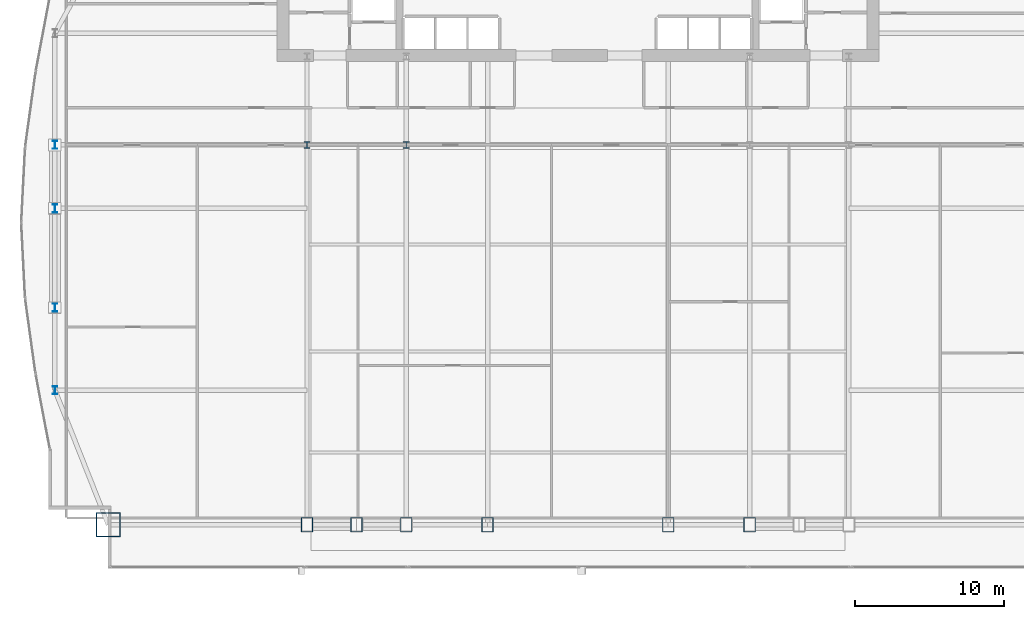
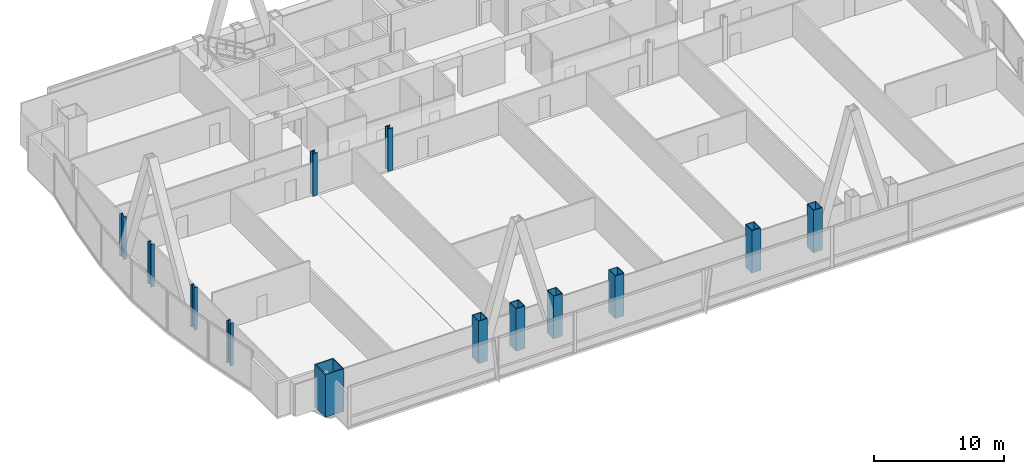
# One storey, part 1 of 37: 13 columns.
"""IFC4 building model written with IfcOpenShell, lengths in metres."""

from ifc_helpers import new_model, si_unit, direction, frame, origin, origin_2d, place, context, subcontext, project, spatial, hollow_rectangle, i_section, extrude, material, material_profile, profile_set, type_object, element, save


model = new_model("IFC4")

# Units and contexts
model_context = context("Model", 3, precision=1e-05, world=origin(), true_north=direction((0.0, 1.0)))
body_context = subcontext(model_context, "Body", "Model", "MODEL_VIEW")
ifc_project = project(units=[si_unit("LENGTHUNIT", "METRE"), si_unit("AREAUNIT", "SQUARE_METRE"), si_unit("VOLUMEUNIT", "CUBIC_METRE"), si_unit("PLANEANGLEUNIT", "RADIAN"), si_unit("MASSUNIT", "GRAM", prefix="KILO")], contexts=[model_context])

# Site, building, storey
site_placement = place(None, origin())
site = spatial("IfcSite", under=ifc_project, at=site_placement, CompositionType="ELEMENT")
building_placement = place(site_placement, origin())
building = spatial("IfcBuilding", under=site, at=building_placement, Name="Khoronbel Lancet Exchange", CompositionType="ELEMENT")
storey_placement = place(building_placement, frame((0.0, 0.0, 61.800048828125)))
storey = spatial("IfcBuildingStorey", under=building, at=storey_placement, Name="L14", CompositionType="ELEMENT", Elevation=61.800048828125)

# Columns
ifc_material_1 = material(Name="Steel S460", Category="steel")
ifc_material_profile_1 = material_profile(ifc_material_1, hollow_rectangle(XDim=0.800048828125, YDim=1.0, WallThickness=0.054931640625, at=origin_2d()), Name="BOX 1000x800x55")
ifc_profile_set_1 = profile_set([ifc_material_profile_1], Name="Steel S460")
column_type_1 = type_object("IfcColumnType", Name="COL-EC1", PredefinedType="COLUMN", material=ifc_profile_set_1)
for number, where, z_axis, x_axis, name in (
    (1, (18.22509765625, 10.14990234375, 0.0), (0.0, 0.0, 1.0), (1.0, 0.0, 0.0), "Structural column SC-W1 L14"),
    (2, (21.5625, 10.14990234375, 0.0), (0.0, 0.0, 1.0), (1.0, 0.0, 0.0), "Structural column SC-WM L14"),
    (3, (24.89990234375, 10.14990234375, 0.0), (0.0, 0.0, 1.0), (1.0, 0.0, 0.0), "Structural column SC-W2 L14"),
    (4, (30.375, 10.14990234375, 0.0), (0.0, 0.0, 1.0), (1.0, 0.0, 0.0), "Structural column SC-C1 L14"),
    (5, (42.52490234375, 10.14990234375, 0.0), (0.0, 0.0, 1.0), (1.0, 0.0, 0.0), "Structural column SC-C2 L14"),
    (6, (48.0, 10.14990234375, 0.0), (0.0, 0.0, 1.0), (1.0, 0.0, 0.0), "Structural column SC-E1 L14"),
):
    element("IfcColumn", number, at=place(storey_placement, frame(where, z_axis=z_axis, x_axis=x_axis)), inside=storey, type_object=column_type_1, Name=name, PredefinedType="COLUMN", context=body_context, shape_type="SweptSolid", body=[
        extrude(hollow_rectangle(XDim=0.800048828125, YDim=1.0, WallThickness=0.054931640625, at=origin_2d()), origin(), (0.0, 0.0, 1.0), 4.0),
    ])
ifc_material_profile_2 = material_profile(ifc_material_1, i_section(OverallWidth=0.424072265625, OverallDepth=0.47412109375, WebThickness=0.047607421875, FlangeThickness=0.076904296875, at=origin_2d()), Name="HD 400x634")
ifc_profile_set_2 = profile_set([ifc_material_profile_2], Name="Steel S460")
column_type_2 = type_object("IfcColumnType", Name="COL-IC1", PredefinedType="COLUMN", material=ifc_profile_set_2)
for number, where, z_axis, x_axis, name in (
    (7, (18.22509765625, 35.699951171875, 0.0), (0.0, 0.0, 1.0), (1.0, 0.0, 0.0), "Spine gravity column TC1 L14"),
    (8, (24.89990234375, 35.699951171875, 0.0), (0.0, 0.0, 1.0), (1.0, 0.0, 0.0), "Spine gravity column TC2 L14"),
):
    element("IfcColumn", number, at=place(storey_placement, frame(where, z_axis=z_axis, x_axis=x_axis)), inside=storey, type_object=column_type_2, Name=name, PredefinedType="COLUMN", context=body_context, shape_type="SweptSolid", body=[
        extrude(i_section(OverallWidth=0.424072265625, OverallDepth=0.47412109375, WebThickness=0.047607421875, FlangeThickness=0.076904296875, at=origin_2d()), origin(), (0.0, 0.0, 1.0), 4.0),
    ])
ifc_material_2 = material(Name="Steel S355", Category="steel")
ifc_material_profile_3 = material_profile(ifc_material_2, i_section(OverallWidth=0.300048828125, OverallDepth=0.550048828125, WebThickness=0.014892578125, FlangeThickness=0.029052734375, at=origin_2d()), Name="HEB 550")
ifc_profile_set_3 = profile_set([ifc_material_profile_3], Name="Steel S355")
column_type_3 = type_object("IfcColumnType", Name="COL-LC1", PredefinedType="COLUMN", material=ifc_profile_set_3)
for number, where, z_axis, x_axis, name in (
    (9, (1.27001953125, 19.199951171875, 0.0), (0.0, 0.0, 1.0), (1.0, 0.0, 0.0), "Structural column WC-1 L14"),
    (10, (1.27001953125, 24.75, 0.0), (0.0, 0.0, 1.0), (1.0, 0.0, 0.0), "Structural column WC-2 L14"),
    (11, (1.27001953125, 31.425048828125, 0.0), (0.0, 0.0, 1.0), (1.0, 0.0, 0.0), "Structural column WC-M L14"),
    (12, (1.27001953125, 35.699951171875, 0.0), (0.0, 0.0, 1.0), (1.0, 0.0, 0.0), "Structural column WC-3 L14"),
):
    element("IfcColumn", number, at=place(storey_placement, frame(where, z_axis=z_axis, x_axis=x_axis)), inside=storey, type_object=column_type_3, Name=name, PredefinedType="COLUMN", context=body_context, shape_type="SweptSolid", body=[
        extrude(i_section(OverallWidth=0.300048828125, OverallDepth=0.550048828125, WebThickness=0.014892578125, FlangeThickness=0.029052734375, at=origin_2d()), origin(), (0.0, 0.0, 1.0), 4.0),
    ])
ifc_material_profile_4 = material_profile(ifc_material_1, hollow_rectangle(XDim=1.64990234375, YDim=1.64990234375, WallThickness=0.074951171875, at=origin_2d()), Name="BOX 1650x1650x75")
ifc_profile_set_4 = profile_set([ifc_material_profile_4], Name="Steel S460")
column_type_4 = type_object("IfcColumnType", Name="COL-MC2", PredefinedType="COLUMN", material=ifc_profile_set_4)
column_placement = place(storey_placement, frame((4.85009765625, 10.14990234375, 0.0), z_axis=(0.0, 0.0, 1.0), x_axis=(1.0, 0.0, 0.0)))
element("IfcColumn", 13, at=column_placement, inside=storey, type_object=column_type_4, Name="Structural column MC-SW L14", PredefinedType="COLUMN", context=body_context, shape_type="SweptSolid", body=[
    extrude(hollow_rectangle(XDim=1.64990234375, YDim=1.64990234375, WallThickness=0.074951171875, at=origin_2d()), origin(), (0.0, 0.0, 1.0), 4.0),
])

save(model, "model.ifc")
